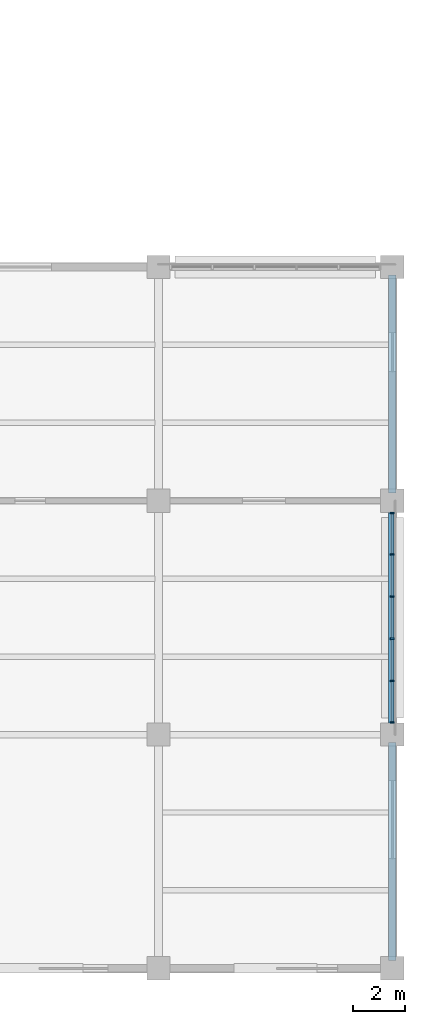
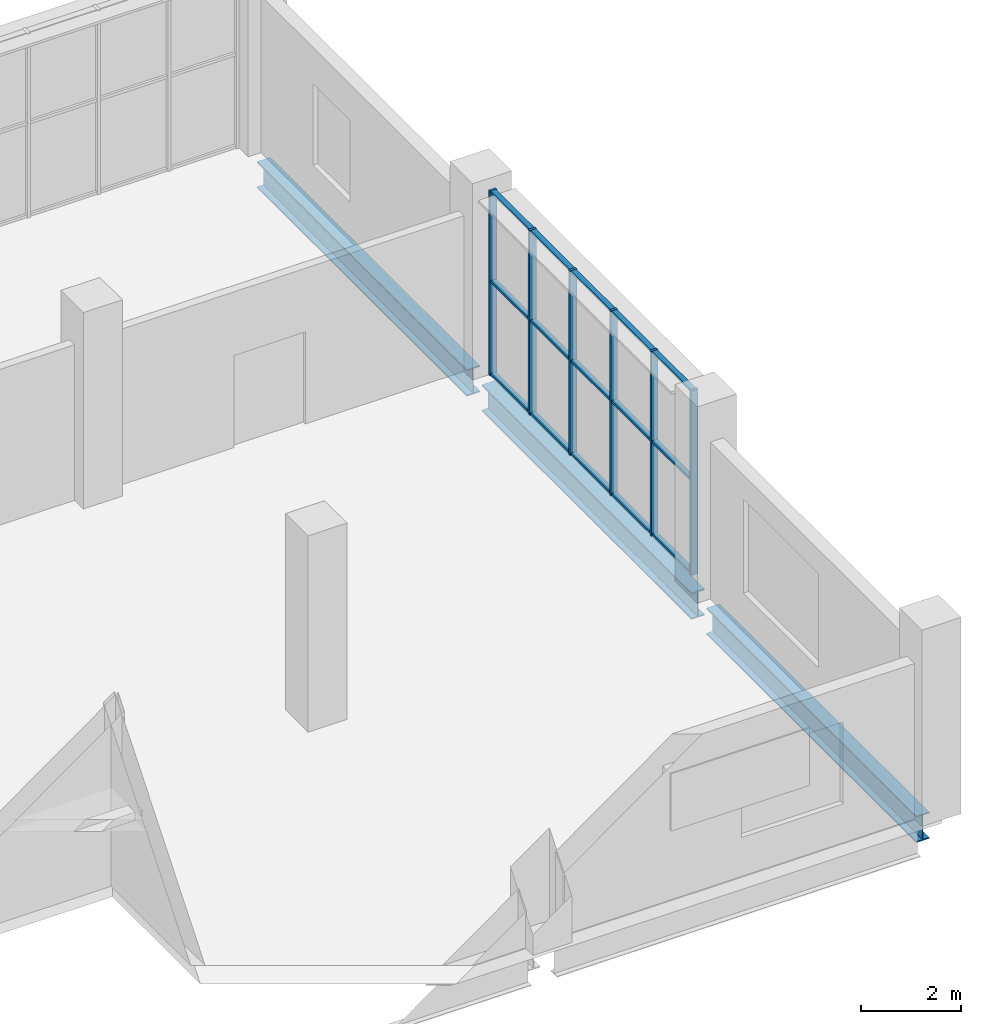
# One storey, part 36 of 183: 21 members, 3 beams, 1 element without a shape of its own.
"""IFC4 building model written with IfcOpenShell, lengths in metres."""

import ifcopenshell
import ifcopenshell.guid

model = None  # the IFC model being written
_history = None  # IfcOwnerHistory: only IFC2X3 demands one
_inside = {}  # id of a spatial element -> (the spatial element, [elements in it])
_under = {}  # id of a project, library or spatial element -> (it, [spatial elements below it])
_declared = {}  # id of a project -> (the project, [libraries it declares])
_typed = {}  # id of a type object -> (the type object, [elements of that type])
_made_of = {}  # id of a material, layer set ... -> (it, [elements and type objects made of it])


def new_model(schema):
    """Start an empty IFC model of exactly this schema.

    Asked for "IFC4X3", IfcOpenShell would pick the latest addendum, in which some entities
    have other attributes; the version numbers below select the first issue.
    IFC2X3 requires an IfcOwnerHistory on every rooted entity: one is made here for all.
    """
    global model, _history
    if schema == "IFC4X3":
        model = ifcopenshell.file(schema_version=(4, 3, 0, 0))
    else:
        model = ifcopenshell.file(schema=schema)
    _inside.clear()
    _under.clear()
    _declared.clear()
    _typed.clear()
    _made_of.clear()
    _history = None
    if model.schema == "IFC2X3":
        org = make("IfcOrganization", Name="unknown")
        user = make(
            "IfcPersonAndOrganization",
            ThePerson=make("IfcPerson", FamilyName="unknown"),
            TheOrganization=org,
        )
        app = make(
            "IfcApplication",
            ApplicationDeveloper=org,
            Version="unknown",
            ApplicationFullName="unknown",
            ApplicationIdentifier="unknown",
        )
        _history = make(
            "IfcOwnerHistory",
            OwningUser=user,
            OwningApplication=app,
            ChangeAction="ADDED",
            CreationDate=0,
        )
    return model


def make(cls, **values):
    """One entity of the class cls with the attributes given. An attribute that is None is left unset."""
    return model.create_entity(
        cls, **{name: value for name, value in values.items() if value is not None}
    )


def rooted(cls, **values):
    """An entity with a GlobalId (a new one), such as an element, a storey or a relation."""
    return make(cls, GlobalId=ifcopenshell.guid.new(), OwnerHistory=_history, **values)


def si_unit(unit_type, name, prefix=None):
    """IfcSIUnit, for example si_unit("LENGTHUNIT", "METRE", prefix="MILLI")."""
    return make("IfcSIUnit", UnitType=unit_type, Prefix=prefix, Name=name)


def assignment(units):
    """IfcUnitAssignment: the units of a project."""
    return None if units is None else make("IfcUnitAssignment", Units=units)


def point(xyz):
    """IfcCartesianPoint."""
    return None if xyz is None else make("IfcCartesianPoint", Coordinates=xyz)


def direction(xyz):
    """IfcDirection."""
    return None if xyz is None else make("IfcDirection", DirectionRatios=xyz)


def frame(location, z_axis=None, x_axis=None):
    """IfcAxis2Placement3D, a coordinate frame: its origin and axes. An axis left out is left unset."""
    return make(
        "IfcAxis2Placement3D",
        Location=point(location),
        Axis=direction(z_axis),
        RefDirection=direction(x_axis),
    )


def frame_2d(location, x_axis=None):
    """IfcAxis2Placement2D, a coordinate frame in the plane: its origin and x axis."""
    return make(
        "IfcAxis2Placement2D", Location=point(location), RefDirection=direction(x_axis)
    )


def origin():
    """The frame at (0, 0, 0) with its axes left unset."""
    return frame((0.0, 0.0, 0.0))


def origin_2d():
    """The frame at (0, 0) in the plane with its x axis left unset."""
    return frame_2d((0.0, 0.0))


def place(relative_to, where):
    """IfcLocalPlacement: puts the frame where relative to a parent placement (None: the world)."""
    return make(
        "IfcLocalPlacement", PlacementRelTo=relative_to, RelativePlacement=where
    )


def context(
    kind, dimensions, precision=None, world=None, true_north=None, identifier=None
):
    """IfcGeometricRepresentationContext, for example the 3D "Model" context."""
    return make(
        "IfcGeometricRepresentationContext",
        ContextIdentifier=identifier,
        ContextType=kind,
        CoordinateSpaceDimension=dimensions,
        Precision=precision,
        WorldCoordinateSystem=world,
        TrueNorth=true_north,
    )


def subcontext(parent, identifier, kind, view, scale=None):
    """IfcGeometricRepresentationSubContext, for example "Body" below "Model"."""
    return make(
        "IfcGeometricRepresentationSubContext",
        ContextIdentifier=identifier,
        ContextType=kind,
        ParentContext=parent,
        TargetScale=scale,
        TargetView=view,
    )


def project(units=None, contexts=None):
    """IfcProject with its units and contexts."""
    return rooted(
        "IfcProject",
        Name="project",
        RepresentationContexts=contexts,
        UnitsInContext=assignment(units),
    )


def spatial(cls, under=None, at=None, **own):
    """A site, building, storey or space (cls), placed at a placement, below another one or the project."""
    s = rooted(cls, ObjectPlacement=at, **own)
    if under is not None:
        _under.setdefault(under.id(), (under, []))[1].append(s)
    return s


def profile(cls, at=None, kind="AREA", **sizes):
    """A parametric profile (cls). Its sizes go by their IFC names, for example OverallWidth=200.0."""
    return make(cls, ProfileType=kind, Position=at, **sizes)


def rectangle(**sizes):
    """IfcRectangleProfileDef."""
    return profile("IfcRectangleProfileDef", **sizes)


def i_section(**sizes):
    """IfcIShapeProfileDef."""
    return profile("IfcIShapeProfileDef", **sizes)


def extrude(swept, where, along, depth):
    """IfcExtrudedAreaSolid: the profile swept, set in the frame where, extruded along a direction by depth."""
    return make(
        "IfcExtrudedAreaSolid",
        SweptArea=swept,
        Position=where,
        ExtrudedDirection=direction(along),
        Depth=depth,
    )


def shape(context_of_items, identifier, shape_type, items):
    """IfcShapeRepresentation: the items that make up one representation, for example the "Body"."""
    return make(
        "IfcShapeRepresentation",
        ContextOfItems=context_of_items,
        RepresentationIdentifier=identifier,
        RepresentationType=shape_type,
        Items=items,
    )


def material(Name=None, Category=None):
    """IfcMaterial."""
    return make("IfcMaterial", Name=Name, Category=Category)


def material_profile(
    of_material, cross_section, Name=None, Category=None, Priority=None
):
    """IfcMaterialProfile: a cross section and its material."""
    return make(
        "IfcMaterialProfile",
        Name=Name,
        Material=of_material,
        Profile=cross_section,
        Priority=Priority,
        Category=Category,
    )


def profile_set(profiles, Name=None, composite=None):
    """IfcMaterialProfileSet."""
    return make(
        "IfcMaterialProfileSet",
        Name=Name,
        MaterialProfiles=profiles,
        CompositeProfile=composite,
    )


def made_of(thing, what):
    """Note that an element or type object is made of a material, layer set ...; save() writes the relation."""
    if what is not None:
        _made_of.setdefault(what.id(), (what, []))[1].append(thing)
    return thing


def type_object(cls, material=None, **own):
    """A type object (cls), such as IfcWallType, which elements share."""
    return made_of(rooted(cls, **own), material)


def element(
    cls,
    number,
    at=None,
    inside=None,
    cuts=None,
    type_object=None,
    material=None,
    context=None,
    identifier="Body",
    shape_type=None,
    held_by="IfcProductDefinitionShape",
    body=None,
    shapes=None,
    **own,
):
    """One element of the class cls, such as IfcWall. Its Tag is "e" and its number.

    at: its placement. inside: the storey or other place that contains it. cuts: it is an
    opening in that element (IfcRelVoidsElement). A single representation is given by context,
    identifier, shape_type and body (its items); several are given by shapes. held_by: the class
    of the entity that holds the representations. save() writes the other relations.
    """
    e = rooted(cls, Tag="e%d" % number, ObjectPlacement=at, **own)
    if body is not None:
        shapes = [shape(context, identifier, shape_type, body)]
    if shapes is not None:
        e.Representation = make(held_by, Representations=shapes)
    if inside is not None:
        _inside.setdefault(inside.id(), (inside, []))[1].append(e)
    if cuts is not None:
        rooted(
            "IfcRelVoidsElement", RelatingBuildingElement=cuts, RelatedOpeningElement=e
        )
    if type_object is not None:
        _typed.setdefault(type_object.id(), (type_object, []))[1].append(e)
    return made_of(e, material)


def aggregate(whole, parts):
    """IfcRelAggregates: a whole, such as a stair, and the parts it consists of."""
    return rooted("IfcRelAggregates", RelatingObject=whole, RelatedObjects=parts)


def save(model, path):
    """Write the relations noted so far, then the file.

    IfcRelAggregates (storeys below a building ...), IfcRelContainedInSpatialStructure (elements
    in a storey), IfcRelDefinesByType, IfcRelAssociatesMaterial and IfcRelDeclares: one each for
    every whole, place, type object, material and project.
    """
    for whole, parts in _under.values():
        aggregate(whole, parts)
    for where, things in _inside.values():
        rooted(
            "IfcRelContainedInSpatialStructure",
            RelatedElements=things,
            RelatingStructure=where,
        )
    for kind, things in _typed.values():
        rooted("IfcRelDefinesByType", RelatedObjects=things, RelatingType=kind)
    for what, things in _made_of.values():
        rooted("IfcRelAssociatesMaterial", RelatedObjects=things, RelatingMaterial=what)
    for by, libraries in _declared.values():
        rooted("IfcRelDeclares", RelatingContext=by, RelatedDefinitions=libraries)
    model.write(path)


model = new_model("IFC4")

# Units and contexts
model_context = context("Model", 3, precision=1e-05, world=origin(), true_north=direction((0.0, 1.0)))
body_context = subcontext(model_context, "Body", "Model", "MODEL_VIEW")
ifc_project = project(units=[si_unit("LENGTHUNIT", "METRE"), si_unit("AREAUNIT", "SQUARE_METRE"), si_unit("VOLUMEUNIT", "CUBIC_METRE"), si_unit("PLANEANGLEUNIT", "RADIAN"), si_unit("MASSUNIT", "GRAM", prefix="KILO")], contexts=[model_context])

# Site, building, storey
site_placement = place(None, origin())
site = spatial("IfcSite", under=ifc_project, at=site_placement, CompositionType="ELEMENT")
building_placement = place(site_placement, origin())
building = spatial("IfcBuilding", under=site, at=building_placement, Name="Zevraka Park Crest Stadium", CompositionType="ELEMENT")
storey_placement = place(building_placement, frame((0.0, 0.0, 5.39990234375)))
storey = spatial("IfcBuildingStorey", under=building, at=storey_placement, Name="L01", CompositionType="ELEMENT", Elevation=5.39990234375)

# Beams
ifc_material_1 = material(Name="Steel S355", Category="steel")
ifc_material_profile_1 = material_profile(ifc_material_1, i_section(OverallWidth=0.300048828125, OverallDepth=0.64990234375, WebThickness=0.01611328125, FlangeThickness=0.031005859375, at=origin_2d()), Name="HEB 650")
ifc_profile_set_1 = profile_set([ifc_material_profile_1], Name="Steel S355")
beam_type = type_object("IfcBeamType", Name="BG07", PredefinedType="BEAM", material=ifc_profile_set_1)
for number, where, z_axis, x_axis, name in (
    (1, (224.0, 0.300048828125, -0.6328125), (0.0, 1.0, 0.0), (-1.0, 0.0, 0.0), "Wing Girder BG07 L01-25/AB"),
    (2, (224.0, 9.300048828125, -0.6328125), (0.0, 1.0, 0.0), (-1.0, 0.0, 0.0), "Wing Girder BG07 L01-25/BC"),
    (3, (224.0, 18.300048828125, -0.6328125), (0.0, 1.0, 0.0), (-1.0, 0.0, 0.0), "Wing Girder BG07 L01-25/CD"),
):
    element("IfcBeam", number, at=place(storey_placement, frame(where, z_axis=z_axis, x_axis=x_axis)), inside=storey, type_object=beam_type, Name=name, PredefinedType="BEAM", context=body_context, shape_type="SweptSolid", body=[
        extrude(i_section(OverallWidth=0.300048828125, OverallDepth=0.64990234375, WebThickness=0.01611328125, FlangeThickness=0.031005859375, at=origin_2d()), origin(), (0.0, 0.0, 1.0), 8.39990234375),
    ])

# Curtain wall, members
ifc_material_2 = material(Name="Anodised architectural aluminium and laminated safety glass", Category="aluminium")
curtain_wall_type = type_object("IfcCurtainWallType", Name="CW28", PredefinedType="NOTDEFINED", material=ifc_material_2)
curtain_wall_placement = place(storey_placement, origin())
curtain_wall = element("IfcCurtainWall", 4, at=curtain_wall_placement, inside=storey, type_object=curtain_wall_type, Name="Wing Curtain Wall CW28 L01-SE-E-2", PredefinedType="NOTDEFINED")
ifc_material_3 = material(Name="Anodised architectural aluminium", Category="aluminium")
ifc_material_profile_2 = material_profile(ifc_material_3, rectangle(XDim=0.159912109375, YDim=0.06005859375, at=origin_2d()), Name="ALU MULLION 160x60")
ifc_profile_set_2 = profile_set([ifc_material_profile_2], Name="Anodised architectural aluminium")
member_type_1 = type_object("IfcMemberType", Name="CM01", PredefinedType="MULLION", material=ifc_profile_set_2)
member_1_placement = place(storey_placement, frame((224.0, 17.530029296875, 0.0), z_axis=(0.0, 0.0, 1.0), x_axis=(1.0, 0.0, 0.0)))
member_1 = element("IfcMember", 5, at=member_1_placement, type_object=member_type_1, Name="CW28 mullion 1", PredefinedType="MULLION", context=body_context, shape_type="SweptSolid", body=[
    extrude(rectangle(XDim=0.159912109375, YDim=0.06005859375, at=origin_2d()), origin(), (0.0, 0.0, 1.0), 4.52001953125),
])
member_2_placement = place(storey_placement, frame((224.0, 15.93603515625, 0.0), z_axis=(0.0, 0.0, 1.0), x_axis=(1.0, 0.0, 0.0)))
member_2 = element("IfcMember", 6, at=member_2_placement, type_object=member_type_1, Name="CW28 mullion 2", PredefinedType="MULLION", context=body_context, shape_type="SweptSolid", body=[
    extrude(rectangle(XDim=0.159912109375, YDim=0.06005859375, at=origin_2d()), origin(), (0.0, 0.0, 1.0), 4.52001953125),
])
member_3_placement = place(storey_placement, frame((224.0, 14.31201171875, 0.0), z_axis=(0.0, 0.0, 1.0), x_axis=(1.0, 0.0, 0.0)))
member_3 = element("IfcMember", 7, at=member_3_placement, type_object=member_type_1, Name="CW28 mullion 3", PredefinedType="MULLION", context=body_context, shape_type="SweptSolid", body=[
    extrude(rectangle(XDim=0.159912109375, YDim=0.06005859375, at=origin_2d()), origin(), (0.0, 0.0, 1.0), 4.52001953125),
])
member_4_placement = place(storey_placement, frame((224.0, 12.68798828125, 0.0), z_axis=(0.0, 0.0, 1.0), x_axis=(1.0, 0.0, 0.0)))
member_4 = element("IfcMember", 8, at=member_4_placement, type_object=member_type_1, Name="CW28 mullion 4", PredefinedType="MULLION", context=body_context, shape_type="SweptSolid", body=[
    extrude(rectangle(XDim=0.159912109375, YDim=0.06005859375, at=origin_2d()), origin(), (0.0, 0.0, 1.0), 4.52001953125),
])
member_5_placement = place(storey_placement, frame((224.0, 11.06396484375, 0.0), z_axis=(0.0, 0.0, 1.0), x_axis=(1.0, 0.0, 0.0)))
member_5 = element("IfcMember", 9, at=member_5_placement, type_object=member_type_1, Name="CW28 mullion 5", PredefinedType="MULLION", context=body_context, shape_type="SweptSolid", body=[
    extrude(rectangle(XDim=0.159912109375, YDim=0.06005859375, at=origin_2d()), origin(), (0.0, 0.0, 1.0), 4.52001953125),
])
member_6_placement = place(storey_placement, frame((224.0, 9.469970703125, 0.0), z_axis=(0.0, 0.0, 1.0), x_axis=(1.0, 0.0, 0.0)))
member_6 = element("IfcMember", 10, at=member_6_placement, type_object=member_type_1, Name="CW28 mullion 6", PredefinedType="MULLION", context=body_context, shape_type="SweptSolid", body=[
    extrude(rectangle(XDim=0.159912109375, YDim=0.06005859375, at=origin_2d()), origin(), (0.0, 0.0, 1.0), 4.52001953125),
])
ifc_material_4 = material(Name="Anodised architectural aluminium", Category="aluminium")
ifc_material_profile_3 = material_profile(ifc_material_4, rectangle(XDim=0.1201171875, YDim=0.06005859375, at=origin_2d()), Name="ALU TRANSOM 120x60")
ifc_profile_set_3 = profile_set([ifc_material_profile_3], Name="Anodised architectural aluminium")
member_type_2 = type_object("IfcMemberType", Name="CT01", PredefinedType="USERDEFINED", material=ifc_profile_set_3)
member_7_placement = place(storey_placement, frame((224.0, 17.5, 0.030029296875), z_axis=(0.0, -1.0, 0.0), x_axis=(1.0, 0.0, 0.0)))
member_7 = element("IfcMember", 11, at=member_7_placement, type_object=member_type_2, Name="CW28 transom 1.1", ObjectType="TRANSOM", PredefinedType="USERDEFINED", context=body_context, shape_type="SweptSolid", body=[
    extrude(rectangle(XDim=0.1201171875, YDim=0.06005859375, at=origin_2d()), origin(), (0.0, 0.0, 1.0), 1.533935546875),
])
member_8_placement = place(storey_placement, frame((224.0, 17.5, 2.300048828125), z_axis=(0.0, -1.0, 0.0), x_axis=(1.0, 0.0, 0.0)))
member_8 = element("IfcMember", 12, at=member_8_placement, type_object=member_type_2, Name="CW28 transom 1.2", ObjectType="TRANSOM", PredefinedType="USERDEFINED", context=body_context, shape_type="SweptSolid", body=[
    extrude(rectangle(XDim=0.1201171875, YDim=0.06005859375, at=origin_2d()), origin(), (0.0, 0.0, 1.0), 1.533935546875),
])
member_9_placement = place(storey_placement, frame((224.0, 17.5, 4.489990234375), z_axis=(0.0, -1.0, 0.0), x_axis=(1.0, 0.0, 0.0)))
member_9 = element("IfcMember", 13, at=member_9_placement, type_object=member_type_2, Name="CW28 transom 1.3", ObjectType="TRANSOM", PredefinedType="USERDEFINED", context=body_context, shape_type="SweptSolid", body=[
    extrude(rectangle(XDim=0.1201171875, YDim=0.06005859375, at=origin_2d()), origin(), (0.0, 0.0, 1.0), 1.533935546875),
])
member_10_placement = place(storey_placement, frame((224.0, 15.906005859375, 0.030029296875), z_axis=(0.0, -1.0, 0.0), x_axis=(1.0, 0.0, 0.0)))
member_10 = element("IfcMember", 14, at=member_10_placement, type_object=member_type_2, Name="CW28 transom 2.1", ObjectType="TRANSOM", PredefinedType="USERDEFINED", context=body_context, shape_type="SweptSolid", body=[
    extrude(rectangle(XDim=0.1201171875, YDim=0.06005859375, at=origin_2d()), origin(), (0.0, 0.0, 1.0), 1.56396484375),
])
member_11_placement = place(storey_placement, frame((224.0, 15.906005859375, 2.300048828125), z_axis=(0.0, -1.0, 0.0), x_axis=(1.0, 0.0, 0.0)))
member_11 = element("IfcMember", 15, at=member_11_placement, type_object=member_type_2, Name="CW28 transom 2.2", ObjectType="TRANSOM", PredefinedType="USERDEFINED", context=body_context, shape_type="SweptSolid", body=[
    extrude(rectangle(XDim=0.1201171875, YDim=0.06005859375, at=origin_2d()), origin(), (0.0, 0.0, 1.0), 1.56396484375),
])
member_12_placement = place(storey_placement, frame((224.0, 15.906005859375, 4.489990234375), z_axis=(0.0, -1.0, 0.0), x_axis=(1.0, 0.0, 0.0)))
member_12 = element("IfcMember", 16, at=member_12_placement, type_object=member_type_2, Name="CW28 transom 2.3", ObjectType="TRANSOM", PredefinedType="USERDEFINED", context=body_context, shape_type="SweptSolid", body=[
    extrude(rectangle(XDim=0.1201171875, YDim=0.06005859375, at=origin_2d()), origin(), (0.0, 0.0, 1.0), 1.56396484375),
])
member_13_placement = place(storey_placement, frame((224.0, 14.281982421875, 0.030029296875), z_axis=(0.0, -1.0, 0.0), x_axis=(1.0, 0.0, 0.0)))
member_13 = element("IfcMember", 17, at=member_13_placement, type_object=member_type_2, Name="CW28 transom 3.1", ObjectType="TRANSOM", PredefinedType="USERDEFINED", context=body_context, shape_type="SweptSolid", body=[
    extrude(rectangle(XDim=0.1201171875, YDim=0.06005859375, at=origin_2d()), origin(), (0.0, 0.0, 1.0), 1.56396484375),
])
member_14_placement = place(storey_placement, frame((224.0, 14.281982421875, 2.300048828125), z_axis=(0.0, -1.0, 0.0), x_axis=(1.0, 0.0, 0.0)))
member_14 = element("IfcMember", 18, at=member_14_placement, type_object=member_type_2, Name="CW28 transom 3.2", ObjectType="TRANSOM", PredefinedType="USERDEFINED", context=body_context, shape_type="SweptSolid", body=[
    extrude(rectangle(XDim=0.1201171875, YDim=0.06005859375, at=origin_2d()), origin(), (0.0, 0.0, 1.0), 1.56396484375),
])
member_15_placement = place(storey_placement, frame((224.0, 14.281982421875, 4.489990234375), z_axis=(0.0, -1.0, 0.0), x_axis=(1.0, 0.0, 0.0)))
member_15 = element("IfcMember", 19, at=member_15_placement, type_object=member_type_2, Name="CW28 transom 3.3", ObjectType="TRANSOM", PredefinedType="USERDEFINED", context=body_context, shape_type="SweptSolid", body=[
    extrude(rectangle(XDim=0.1201171875, YDim=0.06005859375, at=origin_2d()), origin(), (0.0, 0.0, 1.0), 1.56396484375),
])
member_16_placement = place(storey_placement, frame((224.0, 12.657958984375, 0.030029296875), z_axis=(0.0, -1.0, 0.0), x_axis=(1.0, 0.0, 0.0)))
member_16 = element("IfcMember", 20, at=member_16_placement, type_object=member_type_2, Name="CW28 transom 4.1", ObjectType="TRANSOM", PredefinedType="USERDEFINED", context=body_context, shape_type="SweptSolid", body=[
    extrude(rectangle(XDim=0.1201171875, YDim=0.06005859375, at=origin_2d()), origin(), (0.0, 0.0, 1.0), 1.56396484375),
])
member_17_placement = place(storey_placement, frame((224.0, 12.657958984375, 2.300048828125), z_axis=(0.0, -1.0, 0.0), x_axis=(1.0, 0.0, 0.0)))
member_17 = element("IfcMember", 21, at=member_17_placement, type_object=member_type_2, Name="CW28 transom 4.2", ObjectType="TRANSOM", PredefinedType="USERDEFINED", context=body_context, shape_type="SweptSolid", body=[
    extrude(rectangle(XDim=0.1201171875, YDim=0.06005859375, at=origin_2d()), origin(), (0.0, 0.0, 1.0), 1.56396484375),
])
member_18_placement = place(storey_placement, frame((224.0, 12.657958984375, 4.489990234375), z_axis=(0.0, -1.0, 0.0), x_axis=(1.0, 0.0, 0.0)))
member_18 = element("IfcMember", 22, at=member_18_placement, type_object=member_type_2, Name="CW28 transom 4.3", ObjectType="TRANSOM", PredefinedType="USERDEFINED", context=body_context, shape_type="SweptSolid", body=[
    extrude(rectangle(XDim=0.1201171875, YDim=0.06005859375, at=origin_2d()), origin(), (0.0, 0.0, 1.0), 1.56396484375),
])
member_19_placement = place(storey_placement, frame((224.0, 11.033935546875, 0.030029296875), z_axis=(0.0, -1.0, 0.0), x_axis=(1.0, 0.0, 0.0)))
member_19 = element("IfcMember", 23, at=member_19_placement, type_object=member_type_2, Name="CW28 transom 5.1", ObjectType="TRANSOM", PredefinedType="USERDEFINED", context=body_context, shape_type="SweptSolid", body=[
    extrude(rectangle(XDim=0.1201171875, YDim=0.06005859375, at=origin_2d()), origin(), (0.0, 0.0, 1.0), 1.533935546875),
])
member_20_placement = place(storey_placement, frame((224.0, 11.033935546875, 2.300048828125), z_axis=(0.0, -1.0, 0.0), x_axis=(1.0, 0.0, 0.0)))
member_20 = element("IfcMember", 24, at=member_20_placement, type_object=member_type_2, Name="CW28 transom 5.2", ObjectType="TRANSOM", PredefinedType="USERDEFINED", context=body_context, shape_type="SweptSolid", body=[
    extrude(rectangle(XDim=0.1201171875, YDim=0.06005859375, at=origin_2d()), origin(), (0.0, 0.0, 1.0), 1.533935546875),
])
member_21_placement = place(storey_placement, frame((224.0, 11.033935546875, 4.489990234375), z_axis=(0.0, -1.0, 0.0), x_axis=(1.0, 0.0, 0.0)))
member_21 = element("IfcMember", 25, at=member_21_placement, type_object=member_type_2, Name="CW28 transom 5.3", ObjectType="TRANSOM", PredefinedType="USERDEFINED", context=body_context, shape_type="SweptSolid", body=[
    extrude(rectangle(XDim=0.1201171875, YDim=0.06005859375, at=origin_2d()), origin(), (0.0, 0.0, 1.0), 1.533935546875),
])
aggregate(curtain_wall, [member_1, member_2, member_3, member_4, member_5, member_6, member_7, member_8, member_9, member_10, member_11, member_12, member_13, member_14, member_15, member_16, member_17, member_18, member_19, member_20, member_21])

save(model, "model.ifc")
